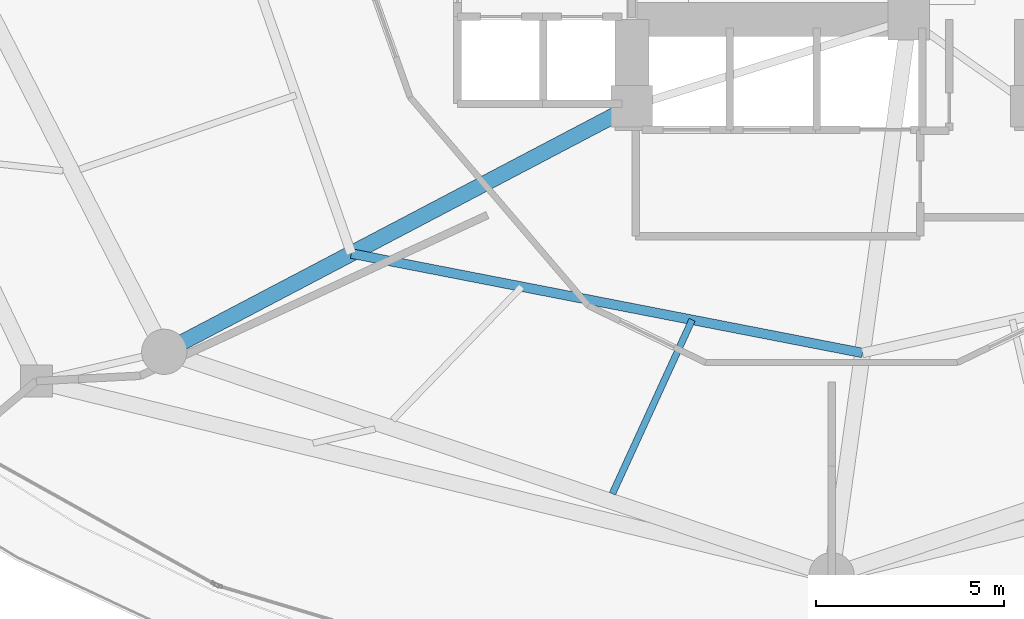
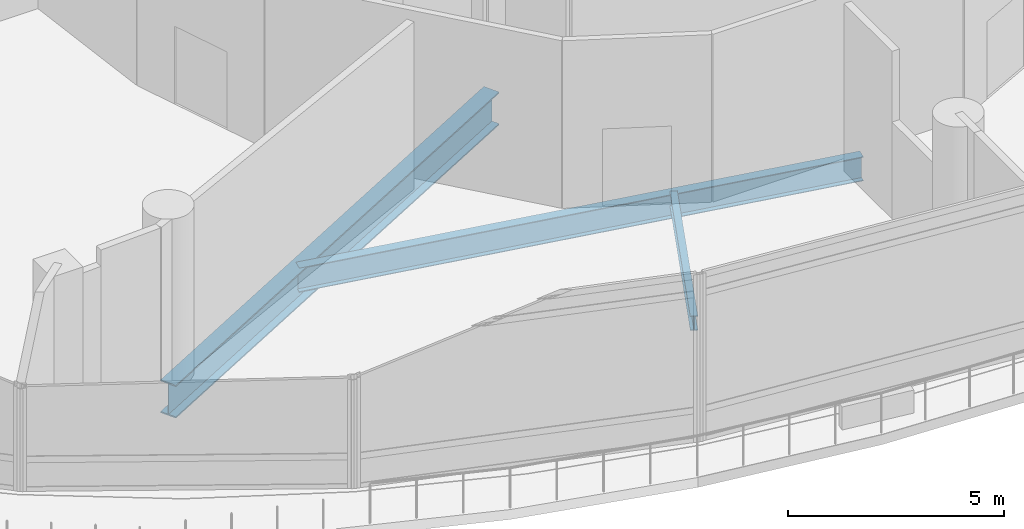
# One storey, part 6 of 34: 3 beams.
"""IFC4 building model written with IfcOpenShell, lengths in metres."""

from ifc_helpers import new_model, si_unit, direction, frame, origin, origin_2d, place, context, subcontext, project, spatial, i_section, extrude, material, material_profile, profile_set, type_object, element, save


model = new_model("IFC4")

# Units and contexts
model_context = context("Model", 3, precision=1e-05, world=origin(), true_north=direction((0.0, 1.0)))
body_context = subcontext(model_context, "Body", "Model", "MODEL_VIEW")
ifc_project = project(units=[si_unit("LENGTHUNIT", "METRE"), si_unit("AREAUNIT", "SQUARE_METRE"), si_unit("VOLUMEUNIT", "CUBIC_METRE"), si_unit("PLANEANGLEUNIT", "RADIAN"), si_unit("MASSUNIT", "GRAM", prefix="KILO")], contexts=[model_context])

# Site, building, storey
site_placement = place(None, origin())
site = spatial("IfcSite", under=ifc_project, at=site_placement, CompositionType="ELEMENT")
building_placement = place(site_placement, origin())
building = spatial("IfcBuilding", under=site, at=building_placement, Name="Nuhasar Tower", CompositionType="ELEMENT")
storey_placement = place(building_placement, frame((0.0, 0.0, 16.0)))
storey = spatial("IfcBuildingStorey", under=building, at=storey_placement, Name="L03", CompositionType="ELEMENT", Elevation=16.0)

# Beams
ifc_material = material(Name="Steel S355", Category="steel")
ifc_material_profile_1 = material_profile(ifc_material, i_section(OverallWidth=0.25390625, OverallDepth=0.68408203125, WebThickness=0.012451171875, FlangeThickness=0.018798828125, at=origin_2d()), Name="W27X94")
ifc_profile_set_1 = profile_set([ifc_material_profile_1], Name="Steel S355")
beam_type_1 = type_object("IfcBeamType", Name="BM-INRING-W27X94", PredefinedType="BEAM", material=ifc_profile_set_1)
beam_1_placement = place(storey_placement, frame((26.251953125, 15.089111328125, -0.64208984375), z_axis=(0.981602977761, -0.190933480695, 0.0), x_axis=(0.190933480695, 0.981602977761, 0.0)))
element("IfcBeam", 1, at=beam_1_placement, inside=storey, type_object=beam_type_1, Name="L03 Inner Header Beam 01", PredefinedType="BEAM", context=body_context, shape_type="SweptSolid", body=[
    extrude(i_section(OverallWidth=0.25390625, OverallDepth=0.68408203125, WebThickness=0.012451171875, FlangeThickness=0.018798828125, at=origin_2d()), origin(), (0.0, 0.0, 1.0), 13.822509765625),
])
ifc_material_profile_2 = material_profile(ifc_material, i_section(OverallWidth=0.177978515625, OverallDepth=0.406005859375, WebThickness=0.0078125, FlangeThickness=0.0126953125, at=origin_2d()), Name="W16X40")
ifc_profile_set_2 = profile_set([ifc_material_profile_2], Name="Steel S355")
beam_type_2 = type_object("IfcBeamType", Name="BM-JST-W16X40", PredefinedType="JOIST", material=ifc_profile_set_2)
beam_2_placement = place(storey_placement, frame((35.297119140625, 13.330078125, -0.5029296875), z_axis=(-0.416659678272, -0.909062545979, 0.0), x_axis=(0.909062545979, -0.416659678272, 0.0)))
element("IfcBeam", 2, at=beam_2_placement, inside=storey, type_object=beam_type_2, Name="L03 Secondary Floor Joist 02", PredefinedType="JOIST", context=body_context, shape_type="SweptSolid", body=[
    extrude(i_section(OverallWidth=0.177978515625, OverallDepth=0.406005859375, WebThickness=0.0078125, FlangeThickness=0.0126953125, at=origin_2d()), origin(), (0.0, 0.0, 1.0), 5.07666015625),
])
ifc_material_profile_3 = material_profile(ifc_material, i_section(OverallWidth=0.419921875, OverallDepth=0.931884765625, WebThickness=0.021240234375, FlangeThickness=0.03662109375, at=origin_2d()), Name="W36X262")
ifc_profile_set_3 = profile_set([ifc_material_profile_3], Name="Steel S355")
beam_type_3 = type_object("IfcBeamType", Name="BM-POD-W36X262", PredefinedType="BEAM", material=ifc_profile_set_3)
beam_3_placement = place(storey_placement, frame((33.699951171875, 19.0, -0.76611328125), z_axis=(-0.885330348705, -0.464962550816, 0.0), x_axis=(0.464962550816, -0.885330348705, 0.0)))
element("IfcBeam", 3, at=beam_3_placement, inside=storey, type_object=beam_type_3, Name="L03 Radial Floor Girder 01", PredefinedType="BEAM", context=body_context, shape_type="SweptSolid", body=[
    extrude(i_section(OverallWidth=0.419921875, OverallDepth=0.931884765625, WebThickness=0.021240234375, FlangeThickness=0.03662109375, at=origin_2d()), origin(), (0.0, 0.0, 1.0), 14.0205078125),
])

save(model, "model.ifc")
